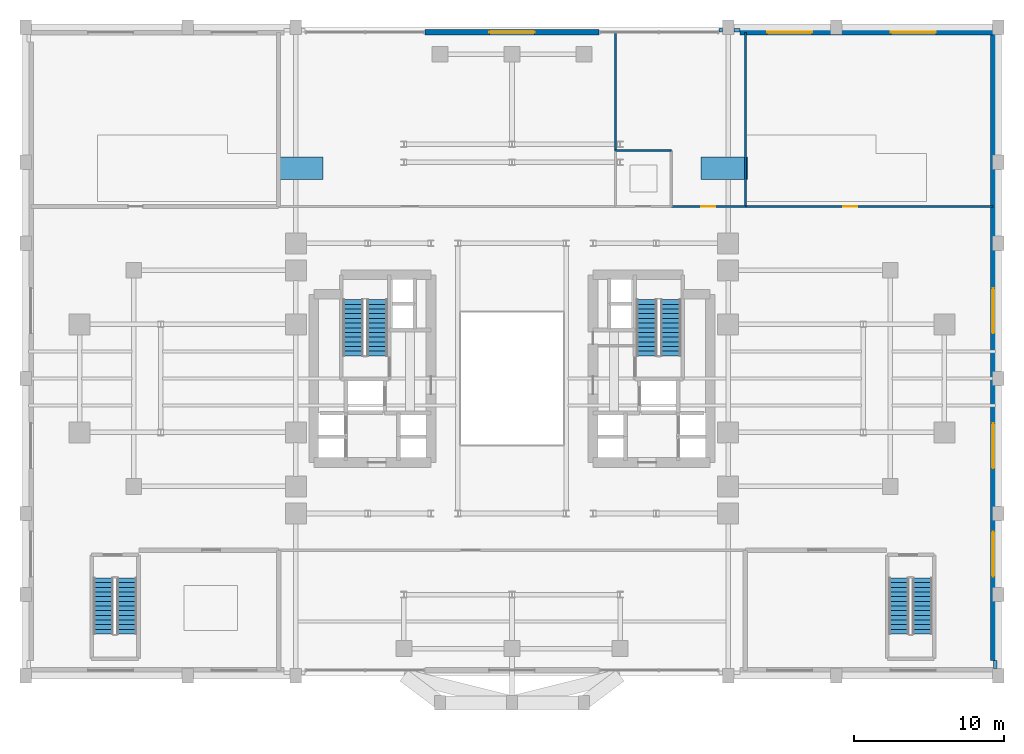
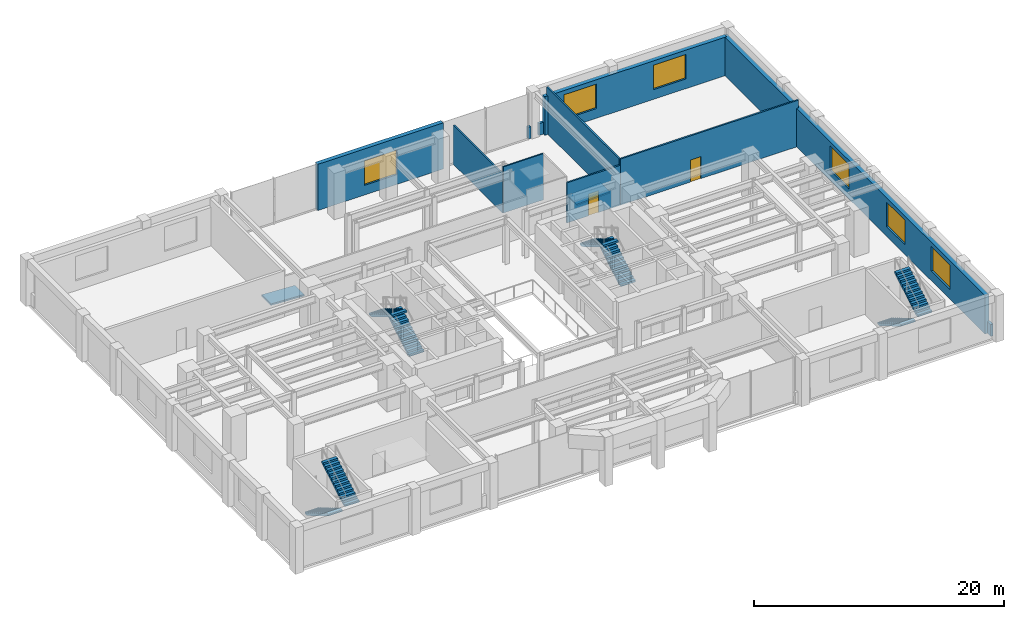
# One storey, part 12 of 14: 11 walls, 8 stair flights, 6 windows, 2 doors, 2 ramp flights, 8 openings, 6 elements without a shape of their own.
"""IFC4 building model written with IfcOpenShell, lengths in metres."""

from ifc_helpers import new_model, si_unit, direction, frame, frame_2d, origin, place, context, subcontext, project, spatial, polyline, rectangle, outline, extrude, source, transform, mapped, material, layer, layer_set, type_object, element, fill, aggregate, save


model = new_model("IFC4")

# Units and contexts
model_context = context("Model", 3, precision=1e-05, world=origin(), true_north=direction((0.0, 1.0)))
body_context = subcontext(model_context, "Body", "Model", "MODEL_VIEW")
ifc_project = project(units=[si_unit("LENGTHUNIT", "METRE"), si_unit("AREAUNIT", "SQUARE_METRE"), si_unit("VOLUMEUNIT", "CUBIC_METRE"), si_unit("PLANEANGLEUNIT", "RADIAN"), si_unit("MASSUNIT", "GRAM", prefix="KILO")], contexts=[model_context])

# Site, building, storey
site_placement = place(None, origin())
site = spatial("IfcSite", under=ifc_project, at=site_placement, CompositionType="ELEMENT")
building_placement = place(site_placement, origin())
building = spatial("IfcBuilding", under=site, at=building_placement, Name="Keilestroom Media Tower", CompositionType="ELEMENT")
storey_placement = place(building_placement, frame((0.0, 0.0, 5.39990234375)))
storey = spatial("IfcBuildingStorey", under=building, at=storey_placement, Name="L01", CompositionType="ELEMENT", Elevation=5.39990234375)

# Wall, openings, windows
ifc_material_1 = material(Name="Precast concrete C40/50", Category="concrete")
ifc_layer_1 = layer(ifc_material_1, 0.3798828125)
ifc_layer_set_1 = layer_set([ifc_layer_1], Name="Precast concrete C40/50")
wall_type_1 = type_object("IfcWallType", Name="Exterior-Masonry-Spandrel-Wall-380", PredefinedType="SOLIDWALL", material=ifc_layer_set_1)
wall_1_placement = place(storey_placement, frame((15.199951171875, 23.050048828125, 0.0), z_axis=(0.0, 0.0, 1.0), x_axis=(1.0, 0.0, 0.0)))
wall_1 = element("IfcWall", 1, at=wall_1_placement, inside=storey, type_object=wall_type_1, Name="L01 Podium Precast Masonry Wall EWL-L01-N-E", PredefinedType="SOLIDWALL", context=body_context, shape_type="SweptSolid", body=[
    extrude(rectangle(XDim=16.85009765625, YDim=0.3798828125, at=frame_2d((8.425048828125, 0.0))), origin(), (0.0, 0.0, 1.0), 3.77001953125),
])
opening_1_placement = place(wall_1_placement, frame((1.7880859375, 0.0, 0.949951171875)))
opening_1 = element("IfcOpeningElement", 2, at=opening_1_placement, cuts=wall_1, Name="Opening WN-05", PredefinedType="OPENING", context=body_context, shape_type="SweptSolid", body=[
    extrude(rectangle(XDim=3.0, YDim=2.39990234375, at=frame_2d((1.5, 1.199951171875))), frame((0.0, 0.199951171875, 0.0), z_axis=(0.0, -1.0, 0.0), x_axis=(1.0, 0.0, 0.0)), (0.0, 0.0, 1.0), 0.39990234375),
])
opening_2_placement = place(wall_1_placement, frame((10.037109375, 0.0, 0.949951171875)))
opening_2 = element("IfcOpeningElement", 3, at=opening_2_placement, cuts=wall_1, Name="Opening WN-05", PredefinedType="OPENING", context=body_context, shape_type="SweptSolid", body=[
    extrude(rectangle(XDim=3.0, YDim=2.39990234375, at=frame_2d((1.5, 1.199951171875))), frame((0.0, 0.199951171875, 0.0), z_axis=(0.0, -1.0, 0.0), x_axis=(1.0, 0.0, 0.0)), (0.0, 0.0, 1.0), 0.39990234375),
])
ifc_material_2 = material(Name="Acoustic Studio Observation Window", Category="glass")
window_type = type_object("IfcWindowType", Name="Recessed-Punched-Window-WN-05", PartitioningType="TRIPLE_PANEL_VERTICAL", PredefinedType="WINDOW", material=ifc_material_2)
shared_shape_1 = source(origin(), body_context, "Body", "SweptSolid", [
    extrude(rectangle(XDim=3.0, YDim=2.39990234375, at=frame_2d((1.5, 1.199951171875))), frame((0.0, 0.030029296875, 0.0), z_axis=(0.0, -1.0, 0.0), x_axis=(1.0, 0.0, 0.0)), (0.0, 0.0, 1.0), 0.06005859375),
])
window_1_placement = place(opening_1_placement, origin())
window_1 = element("IfcWindow", 4, at=window_1_placement, inside=storey, type_object=window_type, Name="L01 Window WN-05 EWL-L01-N-E-1", OverallHeight=2.39990234375, OverallWidth=3.0, PartitioningType="SINGLE_PANEL", PredefinedType="WINDOW", context=body_context, shape_type="MappedRepresentation", body=[
    mapped(shared_shape_1, transform((0.0, 0.0, 0.0), x_axis=(1.0, 0.0, 0.0), y_axis=(0.0, 1.0, 0.0), z_axis=(0.0, 0.0, 1.0), scale=1.0)),
])
fill(opening_1, window_1)
window_2_placement = place(opening_2_placement, origin())
window_2 = element("IfcWindow", 5, at=window_2_placement, inside=storey, type_object=window_type, Name="L01 Window WN-05 EWL-L01-N-E-2", OverallHeight=2.39990234375, OverallWidth=3.0, PartitioningType="SINGLE_PANEL", PredefinedType="WINDOW", context=body_context, shape_type="MappedRepresentation", body=[
    mapped(shared_shape_1, transform((0.0, 0.0, 0.0), x_axis=(1.0, 0.0, 0.0), y_axis=(0.0, 1.0, 0.0), z_axis=(0.0, 0.0, 1.0), scale=1.0)),
])
fill(opening_2, window_2)

wall_2_placement = place(storey_placement, frame((32.050048828125, -18.800048828125, 0.0), z_axis=(0.0, 0.0, 1.0), x_axis=(0.0, 1.0, 0.0)))
wall_2 = element("IfcWall", 6, at=wall_2_placement, inside=storey, type_object=wall_type_1, Name="L01 Podium Precast Masonry Wall EWL-L01-E-M", PredefinedType="SOLIDWALL", context=body_context, shape_type="SweptSolid", body=[
    extrude(rectangle(XDim=42.0, YDim=0.3798828125, at=frame_2d((21.0, 0.0))), origin(), (0.0, 0.0, 1.0), 3.77001953125),
])
opening_3_placement = place(wall_2_placement, frame((5.60009765625, 0.0, 0.949951171875)))
opening_3 = element("IfcOpeningElement", 7, at=opening_3_placement, cuts=wall_2, Name="Opening WN-05", PredefinedType="OPENING", context=body_context, shape_type="SweptSolid", body=[
    extrude(rectangle(XDim=3.0, YDim=2.39990234375, at=frame_2d((1.5, 1.199951171875))), frame((0.0, 0.199951171875, 0.0), z_axis=(0.0, -1.0, 0.0), x_axis=(1.0, 0.0, 0.0)), (0.0, 0.0, 1.0), 0.39990234375),
])
opening_4_placement = place(wall_2_placement, frame((12.800048828125, 0.0, 0.949951171875)))
opening_4 = element("IfcOpeningElement", 8, at=opening_4_placement, cuts=wall_2, Name="Opening WN-05", PredefinedType="OPENING", context=body_context, shape_type="SweptSolid", body=[
    extrude(rectangle(XDim=3.0, YDim=2.39990234375, at=frame_2d((1.5, 1.199951171875))), frame((0.0, 0.199951171875, 0.0), z_axis=(0.0, -1.0, 0.0), x_axis=(1.0, 0.0, 0.0)), (0.0, 0.0, 1.0), 0.39990234375),
])
opening_5_placement = place(wall_2_placement, frame((21.800048828125, 0.0, 0.949951171875)))
opening_5 = element("IfcOpeningElement", 9, at=opening_5_placement, cuts=wall_2, Name="Opening WN-05", PredefinedType="OPENING", context=body_context, shape_type="SweptSolid", body=[
    extrude(rectangle(XDim=3.0, YDim=2.39990234375, at=frame_2d((1.5, 1.199951171875))), frame((0.0, 0.199951171875, 0.0), z_axis=(0.0, -1.0, 0.0), x_axis=(1.0, 0.0, 0.0)), (0.0, 0.0, 1.0), 0.39990234375),
])
window_3_placement = place(opening_3_placement, origin())
window_3 = element("IfcWindow", 10, at=window_3_placement, inside=storey, type_object=window_type, Name="L01 Window WN-05 EWL-L01-E-M-1", OverallHeight=2.39990234375, OverallWidth=3.0, PartitioningType="SINGLE_PANEL", PredefinedType="WINDOW", context=body_context, shape_type="MappedRepresentation", body=[
    mapped(shared_shape_1, transform((0.0, 0.0, 0.0), x_axis=(1.0, 0.0, 0.0), y_axis=(0.0, 1.0, 0.0), z_axis=(0.0, 0.0, 1.0), scale=1.0)),
])
fill(opening_3, window_3)
window_4_placement = place(opening_4_placement, origin())
window_4 = element("IfcWindow", 11, at=window_4_placement, inside=storey, type_object=window_type, Name="L01 Window WN-05 EWL-L01-E-M-2", OverallHeight=2.39990234375, OverallWidth=3.0, PartitioningType="SINGLE_PANEL", PredefinedType="WINDOW", context=body_context, shape_type="MappedRepresentation", body=[
    mapped(shared_shape_1, transform((0.0, 0.0, 0.0), x_axis=(1.0, 0.0, 0.0), y_axis=(0.0, 1.0, 0.0), z_axis=(0.0, 0.0, 1.0), scale=1.0)),
])
fill(opening_4, window_4)
window_5_placement = place(opening_5_placement, origin())
window_5 = element("IfcWindow", 12, at=window_5_placement, inside=storey, type_object=window_type, Name="L01 Window WN-05 EWL-L01-E-M-3", OverallHeight=2.39990234375, OverallWidth=3.0, PartitioningType="SINGLE_PANEL", PredefinedType="WINDOW", context=body_context, shape_type="MappedRepresentation", body=[
    mapped(shared_shape_1, transform((0.0, 0.0, 0.0), x_axis=(1.0, 0.0, 0.0), y_axis=(0.0, 1.0, 0.0), z_axis=(0.0, 0.0, 1.0), scale=1.0)),
])
fill(opening_5, window_5)

# Wall, opening, window
wall_3_placement = place(storey_placement, frame((-5.804931640625, 23.050048828125, 0.0), z_axis=(0.0, 0.0, 1.0), x_axis=(1.0, 0.0, 0.0)))
wall_3 = element("IfcWall", 13, at=wall_3_placement, inside=storey, type_object=wall_type_1, Name="L01 Podium Precast Masonry Wall EWL-L01-N-C-1", PredefinedType="SOLIDWALL", context=body_context, shape_type="SweptSolid", body=[
    extrude(rectangle(XDim=11.60986328125, YDim=0.3798828125, at=frame_2d((5.804931640625, 0.0))), origin(), (0.0, 0.0, 1.0), 4.52001953125),
])
opening_6_placement = place(wall_3_placement, frame((4.304931640625, 0.0, 0.949951171875)))
opening_6 = element("IfcOpeningElement", 14, at=opening_6_placement, cuts=wall_3, Name="Opening WN-05", PredefinedType="OPENING", context=body_context, shape_type="SweptSolid", body=[
    extrude(rectangle(XDim=3.0, YDim=2.39990234375, at=frame_2d((1.5, 1.199951171875))), frame((0.0, 0.199951171875, 0.0), z_axis=(0.0, -1.0, 0.0), x_axis=(1.0, 0.0, 0.0)), (0.0, 0.0, 1.0), 0.39990234375),
])
window_6_placement = place(opening_6_placement, origin())
window_6 = element("IfcWindow", 15, at=window_6_placement, inside=storey, type_object=window_type, Name="L01 Window WN-05 EWL-L01-N-C-1-1", OverallHeight=2.39990234375, OverallWidth=3.0, PartitioningType="SINGLE_PANEL", PredefinedType="WINDOW", context=body_context, shape_type="MappedRepresentation", body=[
    mapped(shared_shape_1, transform((0.0, 0.0, 0.0), x_axis=(1.0, 0.0, 0.0), y_axis=(0.0, 1.0, 0.0), z_axis=(0.0, 0.0, 1.0), scale=1.0)),
])
fill(opening_6, window_6)

# Wall
ifc_material_3 = material(Name="Gypsum Plasterboard & Steel Stud", Category="steel")
ifc_layer_2 = layer(ifc_material_3, 0.1201171875)
ifc_layer_set_2 = layer_set([ifc_layer_2], Name="Gypsum Plasterboard & Steel Stud")
wall_type_2 = type_object("IfcWallType", Name="Interior-Partition-Wall-120", PredefinedType="PARTITIONING", material=ifc_layer_set_2)
wall_4_placement = place(storey_placement, frame((6.89990234375, 15.179931640625, 0.0), z_axis=(0.0, 0.0, 1.0), x_axis=(1.0, 0.0, 0.0)))
element("IfcWall", 16, at=wall_4_placement, inside=storey, type_object=wall_type_2, Name="L01 Interior Wall WP-L01-WC-POD-N", PredefinedType="PARTITIONING", context=body_context, shape_type="SweptSolid", body=[
    extrude(rectangle(XDim=3.7001953125, YDim=0.1201171875, at=frame_2d((1.85009765625, 0.0))), origin(), (0.0, 0.0, 1.0), 4.52001953125),
])

# Wall, opening, door
ifc_layer_3 = layer(ifc_material_3, 0.14990234375)
ifc_layer_set_3 = layer_set([ifc_layer_3], Name="Gypsum Plasterboard & Steel Stud")
wall_type_3 = type_object("IfcWallType", Name="Interior-Partition-Wall-150", PredefinedType="PARTITIONING", material=ifc_layer_set_3)
wall_5_placement = place(storey_placement, frame((15.550048828125, 11.449951171875, 0.0), z_axis=(0.0, 0.0, 1.0), x_axis=(1.0, 0.0, 0.0)))
wall_5 = element("IfcWall", 17, at=wall_5_placement, inside=storey, type_object=wall_type_3, Name="L01 Interior Wall WP-L01-EDIT-NE-S", PredefinedType="PARTITIONING", context=body_context, shape_type="SweptSolid", body=[
    extrude(rectangle(XDim=16.5, YDim=0.14990234375, at=frame_2d((8.25, 0.0))), origin(), (0.0, 0.0, 1.0), 4.52001953125),
])
opening_7_placement = place(wall_5_placement, frame((6.5, 0.0, 0.0)))
opening_7 = element("IfcOpeningElement", 18, at=opening_7_placement, cuts=wall_5, Name="Opening DI-03", PredefinedType="OPENING", context=body_context, shape_type="SweptSolid", body=[
    extrude(rectangle(XDim=0.949951171875, YDim=2.14990234375, at=frame_2d((0.47509765625, 1.074951171875))), frame((0.0, 0.0849609375, 0.0), z_axis=(0.0, -1.0, 0.0), x_axis=(1.0, 0.0, 0.0)), (0.0, 0.0, 1.0), 0.169921875),
])
ifc_material_4 = material(Name="Lacquered European Oak Leaf", Category="wood")
door_type = type_object("IfcDoorType", Name="Interior-Room-And-Suite-Door-DI-03", OperationType="NOTDEFINED", PredefinedType="DOOR", material=ifc_material_4)
shared_shape_2 = source(origin(), body_context, "Body", "SweptSolid", [
    extrude(rectangle(XDim=0.949951171875, YDim=2.14990234375, at=frame_2d((0.47509765625, 1.074951171875))), frame((0.0, 0.02490234375, 0.0), z_axis=(0.0, -1.0, 0.0), x_axis=(1.0, 0.0, 0.0)), (0.0, 0.0, 1.0), 0.050048828125),
])
door_1_placement = place(opening_7_placement, origin())
door_1 = element("IfcDoor", 19, at=door_1_placement, inside=storey, type_object=door_type, Name="L01 Interior Door DI-L01-EDIT-NE-D", OperationType="SINGLE_SWING_RIGHT", OverallHeight=2.14990234375, OverallWidth=0.949951171875, PredefinedType="DOOR", context=body_context, shape_type="MappedRepresentation", body=[
    mapped(shared_shape_2, transform((0.0, 0.0, 0.0), x_axis=(1.0, 0.0, 0.0), y_axis=(0.0, 1.0, 0.0), z_axis=(0.0, 0.0, 1.0), scale=1.0)),
])
fill(opening_7, door_1)

# Walls
wall_6_placement = place(storey_placement, frame((15.550048828125, 11.449951171875, 0.0), z_axis=(0.0, 0.0, 1.0), x_axis=(0.0, 1.0, 0.0)))
element("IfcWall", 20, at=wall_6_placement, inside=storey, type_object=wall_type_3, Name="L01 Interior Wall WP-L01-EDIT-NE-W", PredefinedType="PARTITIONING", context=body_context, shape_type="SweptSolid", body=[
    extrude(rectangle(XDim=11.60009765625, YDim=0.14990234375, at=frame_2d((5.800048828125, 0.0))), origin(), (0.0, 0.0, 1.0), 4.52001953125),
])
wall_7_placement = place(storey_placement, frame((6.89990234375, 15.179931640625, 0.0), z_axis=(0.0, 0.0, 1.0), x_axis=(0.0, 1.0, 0.0)))
element("IfcWall", 21, at=wall_7_placement, inside=storey, type_object=wall_type_3, Name="L01 Interior Wall WP-L01-GREEN-N-E", PredefinedType="PARTITIONING", context=body_context, shape_type="SweptSolid", body=[
    extrude(rectangle(XDim=7.8701171875, YDim=0.14990234375, at=frame_2d((3.93505859375, 0.0))), origin(), (0.0, 0.0, 1.0), 3.820068359375),
])

# Wall, opening, door
wall_8_placement = place(storey_placement, frame((10.60009765625, 11.449951171875, 0.0), z_axis=(0.0, 0.0, 1.0), x_axis=(1.0, 0.0, 0.0)))
wall_8 = element("IfcWall", 22, at=wall_8_placement, inside=storey, type_object=wall_type_3, Name="L01 Interior Wall WP-L01-WARD-NE-S", PredefinedType="PARTITIONING", context=body_context, shape_type="SweptSolid", body=[
    extrude(rectangle(XDim=4.949951171875, YDim=0.14990234375, at=frame_2d((2.47509765625, 0.0))), origin(), (0.0, 0.0, 1.0), 3.920166015625),
])
opening_8_placement = place(wall_8_placement, frame((2.0, 0.0, 0.0)))
opening_8 = element("IfcOpeningElement", 23, at=opening_8_placement, cuts=wall_8, Name="Opening DI-03", PredefinedType="OPENING", context=body_context, shape_type="SweptSolid", body=[
    extrude(rectangle(XDim=0.949951171875, YDim=2.14990234375, at=frame_2d((0.47509765625, 1.074951171875))), frame((0.0, 0.0849609375, 0.0), z_axis=(0.0, -1.0, 0.0), x_axis=(1.0, 0.0, 0.0)), (0.0, 0.0, 1.0), 0.169921875),
])
door_2_placement = place(opening_8_placement, origin())
door_2 = element("IfcDoor", 24, at=door_2_placement, inside=storey, type_object=door_type, Name="L01 Interior Door DI-L01-WARD-NE-D", OperationType="SINGLE_SWING_RIGHT", OverallHeight=2.14990234375, OverallWidth=0.949951171875, PredefinedType="DOOR", context=body_context, shape_type="MappedRepresentation", body=[
    mapped(shared_shape_2, transform((0.0, 0.0, 0.0), x_axis=(1.0, 0.0, 0.0), y_axis=(0.0, 1.0, 0.0), z_axis=(0.0, 0.0, 1.0), scale=1.0)),
])
fill(opening_8, door_2)

# Walls
ifc_layer_4 = layer(ifc_material_1, 0.239990234375)
ifc_layer_set_4 = layer_set([ifc_layer_4], Name="Precast concrete C40/50")
wall_type_4 = type_object("IfcWallType", Name="Roof-And-Terrace-Parapet-Wall-240", PredefinedType="PARAPET", material=ifc_layer_set_4)
wall_9_placement = place(storey_placement, frame((13.782958984375, 23.199951171875, 0.0), z_axis=(0.0, 0.0, 1.0), x_axis=(1.0, 0.0, 0.0)))
element("IfcWall", 25, at=wall_9_placement, inside=storey, type_object=wall_type_4, Name="L01 Perimeter Edge Parapet Wall 05", PredefinedType="PARAPET", context=body_context, shape_type="SweptSolid", body=[
    extrude(rectangle(XDim=0.239013671875, YDim=0.239990234375, at=frame_2d((0.11962890625, 0.0))), origin(), (0.0, 0.0, 1.0), 1.150146484375),
])
wall_10_placement = place(storey_placement, frame((14.778076171875, 23.199951171875, 0.0), z_axis=(0.0, 0.0, 1.0), x_axis=(1.0, 0.0, 0.0)))
element("IfcWall", 26, at=wall_10_placement, inside=storey, type_object=wall_type_4, Name="L01 Perimeter Edge Parapet Wall 06", PredefinedType="PARAPET", context=body_context, shape_type="SweptSolid", body=[
    extrude(rectangle(XDim=0.4189453125, YDim=0.239990234375, at=frame_2d((0.20947265625, 0.0))), origin(), (0.0, 0.0, 1.0), 1.150146484375),
])
wall_11_placement = place(storey_placement, frame((32.199951171875, -18.802978515625, 0.0), z_axis=(0.0, 0.0, 1.0), x_axis=(0.0, -1.0, 0.0)))
element("IfcWall", 27, at=wall_11_placement, inside=storey, type_object=wall_type_4, Name="L01 Perimeter Edge Parapet Wall 07", PredefinedType="PARAPET", context=body_context, shape_type="SweptSolid", body=[
    extrude(rectangle(XDim=0.51904296875, YDim=0.239990234375, at=frame_2d((0.259521484375, 0.0))), origin(), (0.0, 0.0, 1.0), 1.150146484375),
])

# Stair, stair flights
ifc_material_5 = material(Name="Concrete C45/55", Category="concrete")
stair_type_1 = type_object("IfcStairType", Name="Enclosed-Dog-Leg-Stair-ST-CORE", PredefinedType="HALF_TURN_STAIR", material=ifc_material_5)
stair_1_placement = place(storey_placement, origin())
stair_1 = element("IfcStair", 28, at=stair_1_placement, inside=storey, type_object=stair_type_1, Name="L01 West Core Escape Stair ST-1", PredefinedType="HALF_TURN_STAIR")
stair_flight_type_1 = type_object("IfcStairFlightType", Name="Precast-Concrete-Stair-Flight-Core-160", PredefinedType="STRAIGHT", material=ifc_material_1)
stair_flight_1_placement = place(storey_placement, frame((-8.97998046875, 1.5, 0.0), z_axis=(0.0, 0.0, 1.0), x_axis=(0.0, 1.0, 0.0)))
stair_flight_1 = element("IfcStairFlight", 29, at=stair_flight_1_placement, type_object=stair_flight_type_1, Name="ST-1 flight 1", NumberOfRisers=13, NumberOfTreads=12, PredefinedType="STRAIGHT", RiserHeight=0.184615385, TreadLength=0.312, context=body_context, shape_type="SweptSolid", body=[
    extrude(outline(polyline([(0.0, 0.0), (0.0, 0.1845703125), (0.31201171875, 0.1845703125), (0.31201171875, 0.369140625), (0.6240234375, 0.369140625), (0.6240234375, 0.553955078125), (0.93603515625, 0.553955078125), (0.93603515625, 0.738525390625), (1.248046875, 0.738525390625), (1.248046875, 0.923095703125), (1.56005859375, 0.923095703125), (1.56005859375, 1.107666015625), (1.8720703125, 1.107666015625), (1.8720703125, 1.292236328125), (2.18408203125, 1.292236328125), (2.18408203125, 1.476806640625), (2.49609375, 1.476806640625), (2.49609375, 1.66162109375), (2.80810546875, 1.66162109375), (2.80810546875, 1.84619140625), (3.1201171875, 1.84619140625), (3.1201171875, 2.03076171875), (3.431884765625, 2.03076171875), (3.431884765625, 2.21533203125), (3.743896484375, 2.21533203125), (3.743896484375, 2.39990234375), (3.743896484375, 2.029541015625), (0.31396484375, 0.0), (0.0, 0.0)])), frame((0.0, 0.68017578125, 0.0), z_axis=(0.0, -1.0, 0.0), x_axis=(1.0, 0.0, 0.0)), (0.0, 0.0, 1.0), 1.360107421875),
])
stair_flight_2_placement = place(storey_placement, frame((-10.580078125, 5.243896484375, 2.400146484375), z_axis=(0.0, 0.0, 1.0), x_axis=(0.0, -1.0, 0.0)))
stair_flight_2 = element("IfcStairFlight", 30, at=stair_flight_2_placement, type_object=stair_flight_type_1, Name="ST-1 flight 2", NumberOfRisers=13, NumberOfTreads=12, PredefinedType="STRAIGHT", RiserHeight=0.184615385, TreadLength=0.312, context=body_context, shape_type="SweptSolid", body=[
    extrude(outline(polyline([(0.0, 0.0), (0.0, 0.1845703125), (0.31201171875, 0.1845703125), (0.31201171875, 0.369140625), (0.6240234375, 0.369140625), (0.6240234375, 0.553955078125), (0.93603515625, 0.553955078125), (0.93603515625, 0.738525390625), (1.248046875, 0.738525390625), (1.248046875, 0.923095703125), (1.56005859375, 0.923095703125), (1.56005859375, 1.107666015625), (1.8720703125, 1.107666015625), (1.8720703125, 1.292236328125), (2.18408203125, 1.292236328125), (2.18408203125, 1.476806640625), (2.49609375, 1.476806640625), (2.49609375, 1.66162109375), (2.80810546875, 1.66162109375), (2.80810546875, 1.84619140625), (3.1201171875, 1.84619140625), (3.1201171875, 2.03076171875), (3.431884765625, 2.03076171875), (3.431884765625, 2.21533203125), (3.743896484375, 2.21533203125), (3.743896484375, 2.39990234375), (3.743896484375, 2.029541015625), (0.31396484375, 0.0), (0.0, 0.0)])), frame((0.0, 0.68017578125, 0.0), z_axis=(0.0, -1.0, 0.0), x_axis=(1.0, 0.0, 0.0)), (0.0, 0.0, 1.0), 1.360107421875),
])
aggregate(stair_1, [stair_flight_1, stair_flight_2])

stair_2_placement = place(storey_placement, origin())
stair_2 = element("IfcStair", 31, at=stair_2_placement, inside=storey, type_object=stair_type_1, Name="L01 East Core Escape Stair ST-2", PredefinedType="HALF_TURN_STAIR")
stair_flight_3_placement = place(storey_placement, frame((10.580078125, 1.5, 0.0), z_axis=(0.0, 0.0, 1.0), x_axis=(0.0, 1.0, 0.0)))
stair_flight_3 = element("IfcStairFlight", 32, at=stair_flight_3_placement, type_object=stair_flight_type_1, Name="ST-2 flight 1", NumberOfRisers=13, NumberOfTreads=12, PredefinedType="STRAIGHT", RiserHeight=0.184615385, TreadLength=0.312, context=body_context, shape_type="SweptSolid", body=[
    extrude(outline(polyline([(0.0, 0.0), (0.0, 0.1845703125), (0.31201171875, 0.1845703125), (0.31201171875, 0.369140625), (0.6240234375, 0.369140625), (0.6240234375, 0.553955078125), (0.93603515625, 0.553955078125), (0.93603515625, 0.738525390625), (1.248046875, 0.738525390625), (1.248046875, 0.923095703125), (1.56005859375, 0.923095703125), (1.56005859375, 1.107666015625), (1.8720703125, 1.107666015625), (1.8720703125, 1.292236328125), (2.18408203125, 1.292236328125), (2.18408203125, 1.476806640625), (2.49609375, 1.476806640625), (2.49609375, 1.66162109375), (2.80810546875, 1.66162109375), (2.80810546875, 1.84619140625), (3.1201171875, 1.84619140625), (3.1201171875, 2.03076171875), (3.431884765625, 2.03076171875), (3.431884765625, 2.21533203125), (3.743896484375, 2.21533203125), (3.743896484375, 2.39990234375), (3.743896484375, 2.029541015625), (0.31396484375, 0.0), (0.0, 0.0)])), frame((0.0, 0.68017578125, 0.0), z_axis=(0.0, -1.0, 0.0), x_axis=(1.0, 0.0, 0.0)), (0.0, 0.0, 1.0), 1.360107421875),
])
stair_flight_4_placement = place(storey_placement, frame((8.97998046875, 5.243896484375, 2.400146484375), z_axis=(0.0, 0.0, 1.0), x_axis=(0.0, -1.0, 0.0)))
stair_flight_4 = element("IfcStairFlight", 33, at=stair_flight_4_placement, type_object=stair_flight_type_1, Name="ST-2 flight 2", NumberOfRisers=13, NumberOfTreads=12, PredefinedType="STRAIGHT", RiserHeight=0.184615385, TreadLength=0.312, context=body_context, shape_type="SweptSolid", body=[
    extrude(outline(polyline([(0.0, 0.0), (0.0, 0.1845703125), (0.31201171875, 0.1845703125), (0.31201171875, 0.369140625), (0.6240234375, 0.369140625), (0.6240234375, 0.553955078125), (0.93603515625, 0.553955078125), (0.93603515625, 0.738525390625), (1.248046875, 0.738525390625), (1.248046875, 0.923095703125), (1.56005859375, 0.923095703125), (1.56005859375, 1.107666015625), (1.8720703125, 1.107666015625), (1.8720703125, 1.292236328125), (2.18408203125, 1.292236328125), (2.18408203125, 1.476806640625), (2.49609375, 1.476806640625), (2.49609375, 1.66162109375), (2.80810546875, 1.66162109375), (2.80810546875, 1.84619140625), (3.1201171875, 1.84619140625), (3.1201171875, 2.03076171875), (3.431884765625, 2.03076171875), (3.431884765625, 2.21533203125), (3.743896484375, 2.21533203125), (3.743896484375, 2.39990234375), (3.743896484375, 2.029541015625), (0.31396484375, 0.0), (0.0, 0.0)])), frame((0.0, 0.68017578125, 0.0), z_axis=(0.0, -1.0, 0.0), x_axis=(1.0, 0.0, 0.0)), (0.0, 0.0, 1.0), 1.360107421875),
])
aggregate(stair_2, [stair_flight_3, stair_flight_4])

stair_type_2 = type_object("IfcStairType", Name="Enclosed-Dog-Leg-Stair-ST-POD", PredefinedType="HALF_TURN_STAIR", material=ifc_material_5)
stair_3_placement = place(storey_placement, origin())
stair_3 = element("IfcStair", 34, at=stair_3_placement, inside=storey, type_object=stair_type_2, Name="L01 Podium West Studio Escape Stair ST-3", PredefinedType="HALF_TURN_STAIR")
stair_flight_type_2 = type_object("IfcStairFlightType", Name="Precast-Concrete-Stair-Flight-Podium-160", PredefinedType="STRAIGHT", material=ifc_material_1)
stair_flight_5_placement = place(storey_placement, frame((-27.219970703125, -13.2900390625, 0.0), z_axis=(0.0, 0.0, 1.0), x_axis=(0.0, -1.0, 0.0)))
stair_flight_5 = element("IfcStairFlight", 35, at=stair_flight_5_placement, type_object=stair_flight_type_2, Name="ST-3 flight 1", NumberOfRisers=13, NumberOfTreads=12, PredefinedType="STRAIGHT", RiserHeight=0.184615385, TreadLength=0.312, context=body_context, shape_type="SweptSolid", body=[
    extrude(outline(polyline([(0.0, 0.0), (0.0, 0.1845703125), (0.31201171875, 0.1845703125), (0.31201171875, 0.369140625), (0.6240234375, 0.369140625), (0.6240234375, 0.553955078125), (0.93603515625, 0.553955078125), (0.93603515625, 0.738525390625), (1.248046875, 0.738525390625), (1.248046875, 0.923095703125), (1.56005859375, 0.923095703125), (1.56005859375, 1.107666015625), (1.8720703125, 1.107666015625), (1.8720703125, 1.292236328125), (2.18408203125, 1.292236328125), (2.18408203125, 1.476806640625), (2.49609375, 1.476806640625), (2.49609375, 1.66162109375), (2.80810546875, 1.66162109375), (2.80810546875, 1.84619140625), (3.1201171875, 1.84619140625), (3.1201171875, 2.03076171875), (3.431884765625, 2.03076171875), (3.431884765625, 2.21533203125), (3.743896484375, 2.21533203125), (3.743896484375, 2.39990234375), (3.743896484375, 2.029541015625), (0.31396484375, 0.0), (0.0, 0.0)])), frame((0.0, 0.66015625, 0.0), z_axis=(0.0, -1.0, 0.0), x_axis=(1.0, 0.0, 0.0)), (0.0, 0.0, 1.0), 1.320068359375),
])
stair_flight_6_placement = place(storey_placement, frame((-25.659912109375, -17.033935546875, 2.400146484375), z_axis=(0.0, 0.0, 1.0), x_axis=(0.0, 1.0, 0.0)))
stair_flight_6 = element("IfcStairFlight", 36, at=stair_flight_6_placement, type_object=stair_flight_type_2, Name="ST-3 flight 2", NumberOfRisers=13, NumberOfTreads=12, PredefinedType="STRAIGHT", RiserHeight=0.184615385, TreadLength=0.312, context=body_context, shape_type="SweptSolid", body=[
    extrude(outline(polyline([(0.0, 0.0), (0.0, 0.1845703125), (0.31201171875, 0.1845703125), (0.31201171875, 0.369140625), (0.6240234375, 0.369140625), (0.6240234375, 0.553955078125), (0.93603515625, 0.553955078125), (0.93603515625, 0.738525390625), (1.248046875, 0.738525390625), (1.248046875, 0.923095703125), (1.56005859375, 0.923095703125), (1.56005859375, 1.107666015625), (1.8720703125, 1.107666015625), (1.8720703125, 1.292236328125), (2.18408203125, 1.292236328125), (2.18408203125, 1.476806640625), (2.49609375, 1.476806640625), (2.49609375, 1.66162109375), (2.80810546875, 1.66162109375), (2.80810546875, 1.84619140625), (3.1201171875, 1.84619140625), (3.1201171875, 2.03076171875), (3.431884765625, 2.03076171875), (3.431884765625, 2.21533203125), (3.743896484375, 2.21533203125), (3.743896484375, 2.39990234375), (3.743896484375, 2.029541015625), (0.31396484375, 0.0), (0.0, 0.0)])), frame((0.0, 0.66015625, 0.0), z_axis=(0.0, -1.0, 0.0), x_axis=(1.0, 0.0, 0.0)), (0.0, 0.0, 1.0), 1.320068359375),
])
aggregate(stair_3, [stair_flight_5, stair_flight_6])

stair_4_placement = place(storey_placement, origin())
stair_4 = element("IfcStair", 37, at=stair_4_placement, inside=storey, type_object=stair_type_2, Name="L01 Podium East Studio Escape Stair ST-4", PredefinedType="HALF_TURN_STAIR")
stair_flight_7_placement = place(storey_placement, frame((25.780029296875, -13.2900390625, 0.0), z_axis=(0.0, 0.0, 1.0), x_axis=(0.0, -1.0, 0.0)))
stair_flight_7 = element("IfcStairFlight", 38, at=stair_flight_7_placement, type_object=stair_flight_type_2, Name="ST-4 flight 1", NumberOfRisers=13, NumberOfTreads=12, PredefinedType="STRAIGHT", RiserHeight=0.184615385, TreadLength=0.312, context=body_context, shape_type="SweptSolid", body=[
    extrude(outline(polyline([(0.0, 0.0), (0.0, 0.1845703125), (0.31201171875, 0.1845703125), (0.31201171875, 0.369140625), (0.6240234375, 0.369140625), (0.6240234375, 0.553955078125), (0.93603515625, 0.553955078125), (0.93603515625, 0.738525390625), (1.248046875, 0.738525390625), (1.248046875, 0.923095703125), (1.56005859375, 0.923095703125), (1.56005859375, 1.107666015625), (1.8720703125, 1.107666015625), (1.8720703125, 1.292236328125), (2.18408203125, 1.292236328125), (2.18408203125, 1.476806640625), (2.49609375, 1.476806640625), (2.49609375, 1.66162109375), (2.80810546875, 1.66162109375), (2.80810546875, 1.84619140625), (3.1201171875, 1.84619140625), (3.1201171875, 2.03076171875), (3.431884765625, 2.03076171875), (3.431884765625, 2.21533203125), (3.743896484375, 2.21533203125), (3.743896484375, 2.39990234375), (3.743896484375, 2.029541015625), (0.31396484375, 0.0), (0.0, 0.0)])), frame((0.0, 0.66015625, 0.0), z_axis=(0.0, -1.0, 0.0), x_axis=(1.0, 0.0, 0.0)), (0.0, 0.0, 1.0), 1.320068359375),
])
stair_flight_8_placement = place(storey_placement, frame((27.340087890625, -17.033935546875, 2.400146484375), z_axis=(0.0, 0.0, 1.0), x_axis=(0.0, 1.0, 0.0)))
stair_flight_8 = element("IfcStairFlight", 39, at=stair_flight_8_placement, type_object=stair_flight_type_2, Name="ST-4 flight 2", NumberOfRisers=13, NumberOfTreads=12, PredefinedType="STRAIGHT", RiserHeight=0.184615385, TreadLength=0.312, context=body_context, shape_type="SweptSolid", body=[
    extrude(outline(polyline([(0.0, 0.0), (0.0, 0.1845703125), (0.31201171875, 0.1845703125), (0.31201171875, 0.369140625), (0.6240234375, 0.369140625), (0.6240234375, 0.553955078125), (0.93603515625, 0.553955078125), (0.93603515625, 0.738525390625), (1.248046875, 0.738525390625), (1.248046875, 0.923095703125), (1.56005859375, 0.923095703125), (1.56005859375, 1.107666015625), (1.8720703125, 1.107666015625), (1.8720703125, 1.292236328125), (2.18408203125, 1.292236328125), (2.18408203125, 1.476806640625), (2.49609375, 1.476806640625), (2.49609375, 1.66162109375), (2.80810546875, 1.66162109375), (2.80810546875, 1.84619140625), (3.1201171875, 1.84619140625), (3.1201171875, 2.03076171875), (3.431884765625, 2.03076171875), (3.431884765625, 2.21533203125), (3.743896484375, 2.21533203125), (3.743896484375, 2.39990234375), (3.743896484375, 2.029541015625), (0.31396484375, 0.0), (0.0, 0.0)])), frame((0.0, 0.66015625, 0.0), z_axis=(0.0, -1.0, 0.0), x_axis=(1.0, 0.0, 0.0)), (0.0, 0.0, 1.0), 1.320068359375),
])
aggregate(stair_4, [stair_flight_7, stair_flight_8])

# Ramp, ramp flight
ramp_type = type_object("IfcRampType", Name="Pedestrian-Accessible-Ramp-Quay", PredefinedType="STRAIGHT_RUN_RAMP", material=ifc_material_5)
ramp_1_placement = place(storey_placement, origin())
ramp_1 = element("IfcRamp", 40, at=ramp_1_placement, inside=storey, type_object=ramp_type, Name="L01 Studio Accessible Ramp 1", PredefinedType="STRAIGHT_RUN_RAMP")
ifc_layer_5 = layer(ifc_material_5, 0.14990234375)
ifc_layer_set_5 = layer_set([ifc_layer_5], Name="Concrete C45/55")
ramp_flight_type = type_object("IfcRampFlightType", Name="Reinforced-Concrete-Ramp-Flight-Quay-150", PredefinedType="STRAIGHT", material=ifc_layer_set_5)
ramp_flight_1_placement = place(storey_placement, frame((-15.679931640625, 13.25, 0.150146484375), z_axis=(0.048693655381, 0.0, 0.998813760381), x_axis=(0.998813760381, 0.0, -0.048693655381)))
ramp_flight_1 = element("IfcRampFlight", 41, at=ramp_flight_1_placement, type_object=ramp_flight_type, Name="L01 Studio Accessible Ramp Flight 1", PredefinedType="STRAIGHT", context=body_context, shape_type="SweptSolid", body=[
    extrude(outline(polyline([(0.0, 0.0), (3.083491744448388, 0.0), (3.083491744448388, 1.5), (0.0, 1.5), (0.0, 0.0)])), origin(), (0.0, 0.0, -1.0), 0.14990234375),
])
aggregate(ramp_1, [ramp_flight_1])

ramp_2_placement = place(storey_placement, origin())
ramp_2 = element("IfcRamp", 42, at=ramp_2_placement, inside=storey, type_object=ramp_type, Name="L01 Studio Accessible Ramp 2", PredefinedType="STRAIGHT_RUN_RAMP")
ramp_flight_2_placement = place(storey_placement, frame((12.60009765625, 13.25, 0.0), z_axis=(-0.048693655381, 0.0, 0.998813760381), x_axis=(0.998813760381, 0.0, 0.048693655381)))
ramp_flight_2 = element("IfcRampFlight", 43, at=ramp_flight_2_placement, type_object=ramp_flight_type, Name="L01 Studio Accessible Ramp Flight 2", PredefinedType="STRAIGHT", context=body_context, shape_type="SweptSolid", body=[
    extrude(outline(polyline([(0.0, 0.0), (3.083491744448388, 0.0), (3.083491744448388, 1.5), (0.0, 1.5), (0.0, 0.0)])), origin(), (0.0, 0.0, -1.0), 0.14990234375),
])
aggregate(ramp_2, [ramp_flight_2])

save(model, "model.ifc")
